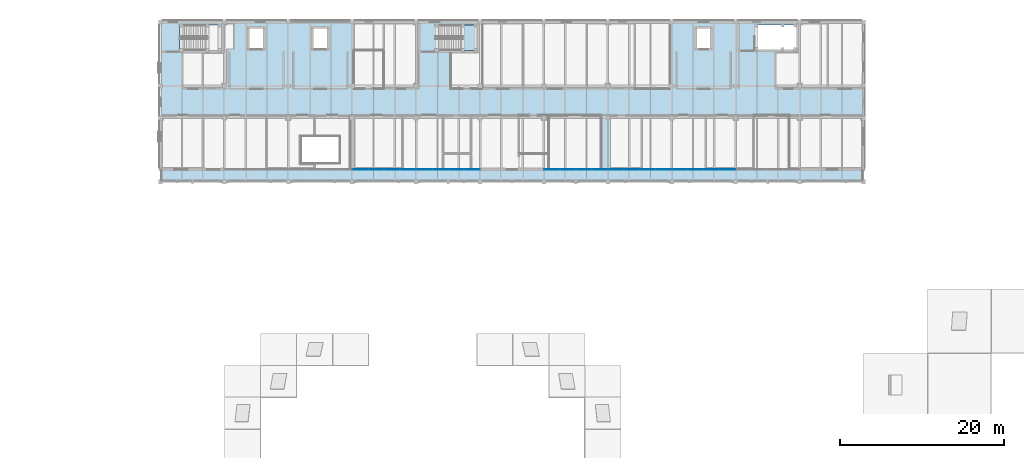
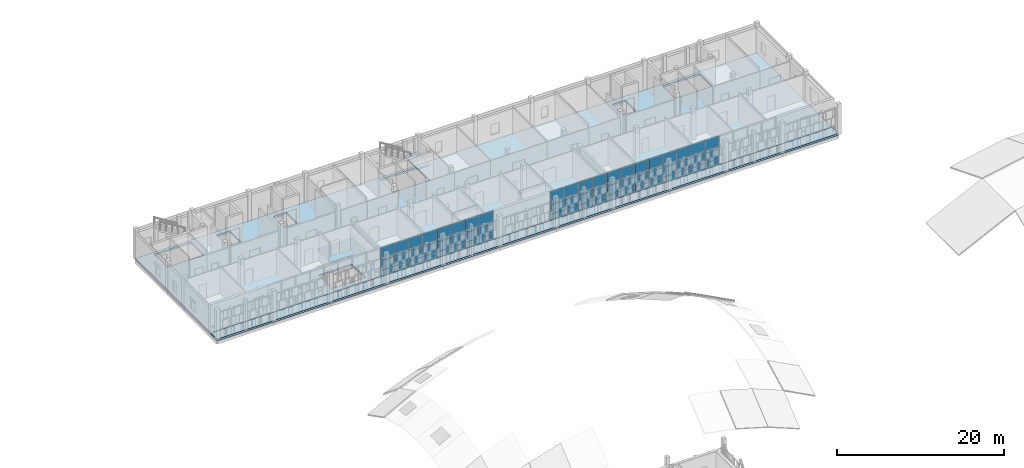
# One storey, part 52 of 89: 60 plates, 3 slabs, 6 elements without a shape of their own.
"""IFC4 building model written with IfcOpenShell, lengths in metres."""

from ifc_helpers import new_model, si_unit, direction, frame, origin, origin_2d, place, context, subcontext, project, spatial, polyline, rectangle, outline, extrude, material, layer, layer_set, type_object, element, aggregate, save


model = new_model("IFC4")

# Units and contexts
model_context = context("Model", 3, precision=1e-05, world=origin(), true_north=direction((0.0, 1.0)))
body_context = subcontext(model_context, "Body", "Model", "MODEL_VIEW")
ifc_project = project(units=[si_unit("LENGTHUNIT", "METRE"), si_unit("AREAUNIT", "SQUARE_METRE"), si_unit("VOLUMEUNIT", "CUBIC_METRE"), si_unit("PLANEANGLEUNIT", "RADIAN"), si_unit("MASSUNIT", "GRAM", prefix="KILO")], contexts=[model_context])

# Site, building, storey
site_placement = place(None, origin())
site = spatial("IfcSite", under=ifc_project, at=site_placement, CompositionType="ELEMENT")
building_placement = place(site_placement, origin())
building = spatial("IfcBuilding", under=site, at=building_placement, Name="Celorna Specialist Clinic", CompositionType="ELEMENT")
storey_placement = place(building_placement, frame((0.0, 0.0, 14.10009765625)))
storey = spatial("IfcBuildingStorey", under=building, at=storey_placement, Name="L03", CompositionType="ELEMENT", Elevation=14.10009765625)

# Curtain wall, plates
ifc_material_1 = material(Name="Thermally broken aluminium and solar-control glass curtain wall", Category="aluminium")
ifc_layer_1 = layer(ifc_material_1, 0.159912109375, Name="Thermally broken aluminium and solar-control glass curtain wall")
ifc_layer_set_1 = layer_set([ifc_layer_1], Name="Thermally broken aluminium and solar-control glass curtain wall")
curtain_wall_type_1 = type_object("IfcCurtainWallType", Name="CW-70", PredefinedType="NOTDEFINED", material=ifc_layer_set_1)
curtain_wall_1_placement = place(storey_placement, origin())
curtain_wall_1 = element("IfcCurtainWall", 1, at=curtain_wall_1_placement, inside=storey, type_object=curtain_wall_type_1, Name="Curtain wall CW-70 #135", PredefinedType="NOTDEFINED")
ifc_material_2 = material(Name="Low-e double glazing", Category="glass")
ifc_layer_2 = layer(ifc_material_2, 0.028076171875, Name="Low-e double glazing")
ifc_layer_set_2 = layer_set([ifc_layer_2], Name="Low-e double glazing")
plate_type_1 = type_object("IfcPlateType", Name="CPN-01", PredefinedType="CURTAIN_PANEL", material=ifc_layer_set_2)
plate_1_placement = place(storey_placement, frame((116.009521484375, 98.0, 0.0498046875), z_axis=(0.0, 0.0, 1.0), x_axis=(-1.0, 0.0, 0.0)))
plate_1 = element("IfcPlate", 2, at=plate_1_placement, type_object=plate_type_1, Name="CW-70 panel 1.1", PredefinedType="CURTAIN_PANEL", context=body_context, shape_type="SweptSolid", body=[
    extrude(rectangle(XDim=1.873046875, YDim=0.028076171875, at=origin_2d()), origin(), (0.0, 0.0, 1.0), 0.824951171875),
])
plate_2_placement = place(storey_placement, frame((116.009521484375, 98.0, 0.9248046875), z_axis=(0.0, 0.0, 1.0), x_axis=(-1.0, 0.0, 0.0)))
plate_2 = element("IfcPlate", 3, at=plate_2_placement, type_object=plate_type_1, Name="CW-70 panel 1.2", PredefinedType="CURTAIN_PANEL", context=body_context, shape_type="SweptSolid", body=[
    extrude(rectangle(XDim=1.873046875, YDim=0.028076171875, at=origin_2d()), origin(), (0.0, 0.0, 1.0), 1.35009765625),
])
plate_3_placement = place(storey_placement, frame((116.009521484375, 98.0, 2.32470703125), z_axis=(0.0, 0.0, 1.0), x_axis=(-1.0, 0.0, 0.0)))
plate_3 = element("IfcPlate", 4, at=plate_3_placement, type_object=plate_type_1, Name="CW-70 panel 1.3", PredefinedType="CURTAIN_PANEL", context=body_context, shape_type="SweptSolid", body=[
    extrude(rectangle(XDim=1.873046875, YDim=0.028076171875, at=origin_2d()), origin(), (0.0, 0.0, 1.0), 1.885009765625),
])
plate_4_placement = place(storey_placement, frame((114.073974609375, 98.0, 0.0498046875), z_axis=(0.0, 0.0, 1.0), x_axis=(-1.0, 0.0, 0.0)))
plate_4 = element("IfcPlate", 5, at=plate_4_placement, type_object=plate_type_1, Name="CW-70 panel 2.1", PredefinedType="CURTAIN_PANEL", context=body_context, shape_type="SweptSolid", body=[
    extrude(rectangle(XDim=1.89794921875, YDim=0.028076171875, at=origin_2d()), origin(), (0.0, 0.0, 1.0), 0.824951171875),
])
plate_5_placement = place(storey_placement, frame((114.073974609375, 98.0, 0.9248046875), z_axis=(0.0, 0.0, 1.0), x_axis=(-1.0, 0.0, 0.0)))
plate_5 = element("IfcPlate", 6, at=plate_5_placement, type_object=plate_type_1, Name="CW-70 panel 2.2", PredefinedType="CURTAIN_PANEL", context=body_context, shape_type="SweptSolid", body=[
    extrude(rectangle(XDim=1.89794921875, YDim=0.028076171875, at=origin_2d()), origin(), (0.0, 0.0, 1.0), 1.35009765625),
])
plate_6_placement = place(storey_placement, frame((114.073974609375, 98.0, 2.32470703125), z_axis=(0.0, 0.0, 1.0), x_axis=(-1.0, 0.0, 0.0)))
plate_6 = element("IfcPlate", 7, at=plate_6_placement, type_object=plate_type_1, Name="CW-70 panel 2.3", PredefinedType="CURTAIN_PANEL", context=body_context, shape_type="SweptSolid", body=[
    extrude(rectangle(XDim=1.89794921875, YDim=0.028076171875, at=origin_2d()), origin(), (0.0, 0.0, 1.0), 1.885009765625),
])
plate_7_placement = place(storey_placement, frame((112.1259765625, 98.0, 0.0498046875), z_axis=(0.0, 0.0, 1.0), x_axis=(-1.0, 0.0, 0.0)))
plate_7 = element("IfcPlate", 8, at=plate_7_placement, type_object=plate_type_1, Name="CW-70 panel 3.1", PredefinedType="CURTAIN_PANEL", context=body_context, shape_type="SweptSolid", body=[
    extrude(rectangle(XDim=1.89794921875, YDim=0.028076171875, at=origin_2d()), origin(), (0.0, 0.0, 1.0), 0.824951171875),
])
plate_8_placement = place(storey_placement, frame((112.1259765625, 98.0, 0.9248046875), z_axis=(0.0, 0.0, 1.0), x_axis=(-1.0, 0.0, 0.0)))
plate_8 = element("IfcPlate", 9, at=plate_8_placement, type_object=plate_type_1, Name="CW-70 panel 3.2", PredefinedType="CURTAIN_PANEL", context=body_context, shape_type="SweptSolid", body=[
    extrude(rectangle(XDim=1.89794921875, YDim=0.028076171875, at=origin_2d()), origin(), (0.0, 0.0, 1.0), 1.35009765625),
])
plate_9_placement = place(storey_placement, frame((112.1259765625, 98.0, 2.32470703125), z_axis=(0.0, 0.0, 1.0), x_axis=(-1.0, 0.0, 0.0)))
plate_9 = element("IfcPlate", 10, at=plate_9_placement, type_object=plate_type_1, Name="CW-70 panel 3.3", PredefinedType="CURTAIN_PANEL", context=body_context, shape_type="SweptSolid", body=[
    extrude(rectangle(XDim=1.89794921875, YDim=0.028076171875, at=origin_2d()), origin(), (0.0, 0.0, 1.0), 1.885009765625),
])
plate_10_placement = place(storey_placement, frame((110.1904296875, 98.0, 0.0498046875), z_axis=(0.0, 0.0, 1.0), x_axis=(-1.0, 0.0, 0.0)))
plate_10 = element("IfcPlate", 11, at=plate_10_placement, type_object=plate_type_1, Name="CW-70 panel 4.1", PredefinedType="CURTAIN_PANEL", context=body_context, shape_type="SweptSolid", body=[
    extrude(rectangle(XDim=1.873046875, YDim=0.028076171875, at=origin_2d()), origin(), (0.0, 0.0, 1.0), 0.824951171875),
])
plate_11_placement = place(storey_placement, frame((110.1904296875, 98.0, 0.9248046875), z_axis=(0.0, 0.0, 1.0), x_axis=(-1.0, 0.0, 0.0)))
plate_11 = element("IfcPlate", 12, at=plate_11_placement, type_object=plate_type_1, Name="CW-70 panel 4.2", PredefinedType="CURTAIN_PANEL", context=body_context, shape_type="SweptSolid", body=[
    extrude(rectangle(XDim=1.873046875, YDim=0.028076171875, at=origin_2d()), origin(), (0.0, 0.0, 1.0), 1.35009765625),
])
plate_12_placement = place(storey_placement, frame((110.1904296875, 98.0, 2.32470703125), z_axis=(0.0, 0.0, 1.0), x_axis=(-1.0, 0.0, 0.0)))
plate_12 = element("IfcPlate", 13, at=plate_12_placement, type_object=plate_type_1, Name="CW-70 panel 4.3", PredefinedType="CURTAIN_PANEL", context=body_context, shape_type="SweptSolid", body=[
    extrude(rectangle(XDim=1.873046875, YDim=0.028076171875, at=origin_2d()), origin(), (0.0, 0.0, 1.0), 1.885009765625),
])
aggregate(curtain_wall_1, [plate_1, plate_2, plate_3, plate_4, plate_5, plate_6, plate_7, plate_8, plate_9, plate_10, plate_11, plate_12])

ifc_layer_3 = layer(ifc_material_1, 0.159912109375, Name="Thermally broken aluminium and solar-control glass curtain wall")
ifc_layer_set_3 = layer_set([ifc_layer_3], Name="Thermally broken aluminium and solar-control glass curtain wall")
curtain_wall_type_2 = type_object("IfcCurtainWallType", Name="CW-71", PredefinedType="NOTDEFINED", material=ifc_layer_set_3)
curtain_wall_2_placement = place(storey_placement, origin())
curtain_wall_2 = element("IfcCurtainWall", 14, at=curtain_wall_2_placement, inside=storey, type_object=curtain_wall_type_2, Name="Curtain wall CW-71 #131", PredefinedType="NOTDEFINED")
ifc_material_3 = material(Name="Solar-control triple glazing", Category="glass")
ifc_layer_4 = layer(ifc_material_3, 0.035888671875, Name="Solar-control triple glazing")
ifc_layer_set_4 = layer_set([ifc_layer_4], Name="Solar-control triple glazing")
plate_type_2 = type_object("IfcPlateType", Name="CPN-02", PredefinedType="CURTAIN_PANEL", material=ifc_layer_set_4)
plate_13_placement = place(storey_placement, frame((77.009521484375, 98.0, 0.0498046875), z_axis=(0.0, 0.0, 1.0), x_axis=(-1.0, 0.0, 0.0)))
plate_13 = element("IfcPlate", 15, at=plate_13_placement, type_object=plate_type_2, Name="CW-71 panel 1.1", PredefinedType="CURTAIN_PANEL", context=body_context, shape_type="SweptSolid", body=[
    extrude(rectangle(XDim=1.873046875, YDim=0.035888671875, at=origin_2d()), origin(), (0.0, 0.0, 1.0), 0.824951171875),
])
plate_14_placement = place(storey_placement, frame((77.009521484375, 98.0, 0.9248046875), z_axis=(0.0, 0.0, 1.0), x_axis=(-1.0, 0.0, 0.0)))
plate_14 = element("IfcPlate", 16, at=plate_14_placement, type_object=plate_type_2, Name="CW-71 panel 1.2", PredefinedType="CURTAIN_PANEL", context=body_context, shape_type="SweptSolid", body=[
    extrude(rectangle(XDim=1.873046875, YDim=0.035888671875, at=origin_2d()), origin(), (0.0, 0.0, 1.0), 1.35009765625),
])
plate_15_placement = place(storey_placement, frame((77.009521484375, 98.0, 2.32470703125), z_axis=(0.0, 0.0, 1.0), x_axis=(-1.0, 0.0, 0.0)))
plate_15 = element("IfcPlate", 17, at=plate_15_placement, type_object=plate_type_2, Name="CW-71 panel 1.3", PredefinedType="CURTAIN_PANEL", context=body_context, shape_type="SweptSolid", body=[
    extrude(rectangle(XDim=1.873046875, YDim=0.035888671875, at=origin_2d()), origin(), (0.0, 0.0, 1.0), 1.885009765625),
])
plate_16_placement = place(storey_placement, frame((75.073974609375, 98.0, 0.0498046875), z_axis=(0.0, 0.0, 1.0), x_axis=(-1.0, 0.0, 0.0)))
plate_16 = element("IfcPlate", 18, at=plate_16_placement, type_object=plate_type_2, Name="CW-71 panel 2.1", PredefinedType="CURTAIN_PANEL", context=body_context, shape_type="SweptSolid", body=[
    extrude(rectangle(XDim=1.89794921875, YDim=0.035888671875, at=origin_2d()), origin(), (0.0, 0.0, 1.0), 0.824951171875),
])
plate_17_placement = place(storey_placement, frame((75.073974609375, 98.0, 0.9248046875), z_axis=(0.0, 0.0, 1.0), x_axis=(-1.0, 0.0, 0.0)))
plate_17 = element("IfcPlate", 19, at=plate_17_placement, type_object=plate_type_2, Name="CW-71 panel 2.2", PredefinedType="CURTAIN_PANEL", context=body_context, shape_type="SweptSolid", body=[
    extrude(rectangle(XDim=1.89794921875, YDim=0.035888671875, at=origin_2d()), origin(), (0.0, 0.0, 1.0), 1.35009765625),
])
plate_18_placement = place(storey_placement, frame((75.073974609375, 98.0, 2.32470703125), z_axis=(0.0, 0.0, 1.0), x_axis=(-1.0, 0.0, 0.0)))
plate_18 = element("IfcPlate", 20, at=plate_18_placement, type_object=plate_type_2, Name="CW-71 panel 2.3", PredefinedType="CURTAIN_PANEL", context=body_context, shape_type="SweptSolid", body=[
    extrude(rectangle(XDim=1.89794921875, YDim=0.035888671875, at=origin_2d()), origin(), (0.0, 0.0, 1.0), 1.885009765625),
])
plate_19_placement = place(storey_placement, frame((73.1259765625, 98.0, 0.0498046875), z_axis=(0.0, 0.0, 1.0), x_axis=(-1.0, 0.0, 0.0)))
plate_19 = element("IfcPlate", 21, at=plate_19_placement, type_object=plate_type_2, Name="CW-71 panel 3.1", PredefinedType="CURTAIN_PANEL", context=body_context, shape_type="SweptSolid", body=[
    extrude(rectangle(XDim=1.89794921875, YDim=0.035888671875, at=origin_2d()), origin(), (0.0, 0.0, 1.0), 0.824951171875),
])
plate_20_placement = place(storey_placement, frame((73.1259765625, 98.0, 0.9248046875), z_axis=(0.0, 0.0, 1.0), x_axis=(-1.0, 0.0, 0.0)))
plate_20 = element("IfcPlate", 22, at=plate_20_placement, type_object=plate_type_2, Name="CW-71 panel 3.2", PredefinedType="CURTAIN_PANEL", context=body_context, shape_type="SweptSolid", body=[
    extrude(rectangle(XDim=1.89794921875, YDim=0.035888671875, at=origin_2d()), origin(), (0.0, 0.0, 1.0), 1.35009765625),
])
plate_21_placement = place(storey_placement, frame((73.1259765625, 98.0, 2.32470703125), z_axis=(0.0, 0.0, 1.0), x_axis=(-1.0, 0.0, 0.0)))
plate_21 = element("IfcPlate", 23, at=plate_21_placement, type_object=plate_type_2, Name="CW-71 panel 3.3", PredefinedType="CURTAIN_PANEL", context=body_context, shape_type="SweptSolid", body=[
    extrude(rectangle(XDim=1.89794921875, YDim=0.035888671875, at=origin_2d()), origin(), (0.0, 0.0, 1.0), 1.885009765625),
])
plate_22_placement = place(storey_placement, frame((71.1904296875, 98.0, 0.0498046875), z_axis=(0.0, 0.0, 1.0), x_axis=(-1.0, 0.0, 0.0)))
plate_22 = element("IfcPlate", 24, at=plate_22_placement, type_object=plate_type_2, Name="CW-71 panel 4.1", PredefinedType="CURTAIN_PANEL", context=body_context, shape_type="SweptSolid", body=[
    extrude(rectangle(XDim=1.873046875, YDim=0.035888671875, at=origin_2d()), origin(), (0.0, 0.0, 1.0), 0.824951171875),
])
plate_23_placement = place(storey_placement, frame((71.1904296875, 98.0, 0.9248046875), z_axis=(0.0, 0.0, 1.0), x_axis=(-1.0, 0.0, 0.0)))
plate_23 = element("IfcPlate", 25, at=plate_23_placement, type_object=plate_type_2, Name="CW-71 panel 4.2", PredefinedType="CURTAIN_PANEL", context=body_context, shape_type="SweptSolid", body=[
    extrude(rectangle(XDim=1.873046875, YDim=0.035888671875, at=origin_2d()), origin(), (0.0, 0.0, 1.0), 1.35009765625),
])
plate_24_placement = place(storey_placement, frame((71.1904296875, 98.0, 2.32470703125), z_axis=(0.0, 0.0, 1.0), x_axis=(-1.0, 0.0, 0.0)))
plate_24 = element("IfcPlate", 26, at=plate_24_placement, type_object=plate_type_2, Name="CW-71 panel 4.3", PredefinedType="CURTAIN_PANEL", context=body_context, shape_type="SweptSolid", body=[
    extrude(rectangle(XDim=1.873046875, YDim=0.035888671875, at=origin_2d()), origin(), (0.0, 0.0, 1.0), 1.885009765625),
])
aggregate(curtain_wall_2, [plate_13, plate_14, plate_15, plate_16, plate_17, plate_18, plate_19, plate_20, plate_21, plate_22, plate_23, plate_24])

curtain_wall_3_placement = place(storey_placement, origin())
curtain_wall_3 = element("IfcCurtainWall", 27, at=curtain_wall_3_placement, inside=storey, type_object=curtain_wall_type_2, Name="Curtain wall CW-71 #133", PredefinedType="NOTDEFINED")
plate_25_placement = place(storey_placement, frame((100.409423828125, 98.0, 0.0498046875), z_axis=(0.0, 0.0, 1.0), x_axis=(-1.0, 0.0, 0.0)))
plate_25 = element("IfcPlate", 28, at=plate_25_placement, type_object=plate_type_2, Name="CW-71 panel 1.1", PredefinedType="CURTAIN_PANEL", context=body_context, shape_type="SweptSolid", body=[
    extrude(rectangle(XDim=1.873046875, YDim=0.035888671875, at=origin_2d()), origin(), (0.0, 0.0, 1.0), 0.824951171875),
])
plate_26_placement = place(storey_placement, frame((100.409423828125, 98.0, 0.9248046875), z_axis=(0.0, 0.0, 1.0), x_axis=(-1.0, 0.0, 0.0)))
plate_26 = element("IfcPlate", 29, at=plate_26_placement, type_object=plate_type_2, Name="CW-71 panel 1.2", PredefinedType="CURTAIN_PANEL", context=body_context, shape_type="SweptSolid", body=[
    extrude(rectangle(XDim=1.873046875, YDim=0.035888671875, at=origin_2d()), origin(), (0.0, 0.0, 1.0), 1.35009765625),
])
plate_27_placement = place(storey_placement, frame((100.409423828125, 98.0, 2.32470703125), z_axis=(0.0, 0.0, 1.0), x_axis=(-1.0, 0.0, 0.0)))
plate_27 = element("IfcPlate", 30, at=plate_27_placement, type_object=plate_type_2, Name="CW-71 panel 1.3", PredefinedType="CURTAIN_PANEL", context=body_context, shape_type="SweptSolid", body=[
    extrude(rectangle(XDim=1.873046875, YDim=0.035888671875, at=origin_2d()), origin(), (0.0, 0.0, 1.0), 1.885009765625),
])
plate_28_placement = place(storey_placement, frame((98.47412109375, 98.0, 0.0498046875), z_axis=(0.0, 0.0, 1.0), x_axis=(-1.0, 0.0, 0.0)))
plate_28 = element("IfcPlate", 31, at=plate_28_placement, type_object=plate_type_2, Name="CW-71 panel 2.1", PredefinedType="CURTAIN_PANEL", context=body_context, shape_type="SweptSolid", body=[
    extrude(rectangle(XDim=1.89794921875, YDim=0.035888671875, at=origin_2d()), origin(), (0.0, 0.0, 1.0), 0.824951171875),
])
plate_29_placement = place(storey_placement, frame((98.47412109375, 98.0, 0.9248046875), z_axis=(0.0, 0.0, 1.0), x_axis=(-1.0, 0.0, 0.0)))
plate_29 = element("IfcPlate", 32, at=plate_29_placement, type_object=plate_type_2, Name="CW-71 panel 2.2", PredefinedType="CURTAIN_PANEL", context=body_context, shape_type="SweptSolid", body=[
    extrude(rectangle(XDim=1.89794921875, YDim=0.035888671875, at=origin_2d()), origin(), (0.0, 0.0, 1.0), 1.35009765625),
])
plate_30_placement = place(storey_placement, frame((98.47412109375, 98.0, 2.32470703125), z_axis=(0.0, 0.0, 1.0), x_axis=(-1.0, 0.0, 0.0)))
plate_30 = element("IfcPlate", 33, at=plate_30_placement, type_object=plate_type_2, Name="CW-71 panel 2.3", PredefinedType="CURTAIN_PANEL", context=body_context, shape_type="SweptSolid", body=[
    extrude(rectangle(XDim=1.89794921875, YDim=0.035888671875, at=origin_2d()), origin(), (0.0, 0.0, 1.0), 1.885009765625),
])
plate_31_placement = place(storey_placement, frame((96.52587890625, 98.0, 0.0498046875), z_axis=(0.0, 0.0, 1.0), x_axis=(-1.0, 0.0, 0.0)))
plate_31 = element("IfcPlate", 34, at=plate_31_placement, type_object=plate_type_2, Name="CW-71 panel 3.1", PredefinedType="CURTAIN_PANEL", context=body_context, shape_type="SweptSolid", body=[
    extrude(rectangle(XDim=1.89794921875, YDim=0.035888671875, at=origin_2d()), origin(), (0.0, 0.0, 1.0), 0.824951171875),
])
plate_32_placement = place(storey_placement, frame((96.52587890625, 98.0, 0.9248046875), z_axis=(0.0, 0.0, 1.0), x_axis=(-1.0, 0.0, 0.0)))
plate_32 = element("IfcPlate", 35, at=plate_32_placement, type_object=plate_type_2, Name="CW-71 panel 3.2", PredefinedType="CURTAIN_PANEL", context=body_context, shape_type="SweptSolid", body=[
    extrude(rectangle(XDim=1.89794921875, YDim=0.035888671875, at=origin_2d()), origin(), (0.0, 0.0, 1.0), 1.35009765625),
])
plate_33_placement = place(storey_placement, frame((96.52587890625, 98.0, 2.32470703125), z_axis=(0.0, 0.0, 1.0), x_axis=(-1.0, 0.0, 0.0)))
plate_33 = element("IfcPlate", 36, at=plate_33_placement, type_object=plate_type_2, Name="CW-71 panel 3.3", PredefinedType="CURTAIN_PANEL", context=body_context, shape_type="SweptSolid", body=[
    extrude(rectangle(XDim=1.89794921875, YDim=0.035888671875, at=origin_2d()), origin(), (0.0, 0.0, 1.0), 1.885009765625),
])
plate_34_placement = place(storey_placement, frame((94.590576171875, 98.0, 0.0498046875), z_axis=(0.0, 0.0, 1.0), x_axis=(-1.0, 0.0, 0.0)))
plate_34 = element("IfcPlate", 37, at=plate_34_placement, type_object=plate_type_2, Name="CW-71 panel 4.1", PredefinedType="CURTAIN_PANEL", context=body_context, shape_type="SweptSolid", body=[
    extrude(rectangle(XDim=1.873046875, YDim=0.035888671875, at=origin_2d()), origin(), (0.0, 0.0, 1.0), 0.824951171875),
])
plate_35_placement = place(storey_placement, frame((94.590576171875, 98.0, 0.9248046875), z_axis=(0.0, 0.0, 1.0), x_axis=(-1.0, 0.0, 0.0)))
plate_35 = element("IfcPlate", 38, at=plate_35_placement, type_object=plate_type_2, Name="CW-71 panel 4.2", PredefinedType="CURTAIN_PANEL", context=body_context, shape_type="SweptSolid", body=[
    extrude(rectangle(XDim=1.873046875, YDim=0.035888671875, at=origin_2d()), origin(), (0.0, 0.0, 1.0), 1.35009765625),
])
plate_36_placement = place(storey_placement, frame((94.590576171875, 98.0, 2.32470703125), z_axis=(0.0, 0.0, 1.0), x_axis=(-1.0, 0.0, 0.0)))
plate_36 = element("IfcPlate", 39, at=plate_36_placement, type_object=plate_type_2, Name="CW-71 panel 4.3", PredefinedType="CURTAIN_PANEL", context=body_context, shape_type="SweptSolid", body=[
    extrude(rectangle(XDim=1.873046875, YDim=0.035888671875, at=origin_2d()), origin(), (0.0, 0.0, 1.0), 1.885009765625),
])
aggregate(curtain_wall_3, [plate_25, plate_26, plate_27, plate_28, plate_29, plate_30, plate_31, plate_32, plate_33, plate_34, plate_35, plate_36])

ifc_layer_5 = layer(ifc_material_1, 0.159912109375, Name="Thermally broken aluminium and solar-control glass curtain wall")
ifc_layer_set_5 = layer_set([ifc_layer_5], Name="Thermally broken aluminium and solar-control glass curtain wall")
curtain_wall_type_3 = type_object("IfcCurtainWallType", Name="CW-69", PredefinedType="NOTDEFINED", material=ifc_layer_set_5)
curtain_wall_4_placement = place(storey_placement, origin())
curtain_wall_4 = element("IfcCurtainWall", 40, at=curtain_wall_4_placement, inside=storey, type_object=curtain_wall_type_3, Name="Curtain wall CW-69 #132", PredefinedType="NOTDEFINED")
ifc_material_4 = material(Name="Glazed polychrome ceramic insulated spandrel")
ifc_layer_6 = layer(ifc_material_4, 0.0439453125, Name="Glazed polychrome ceramic insulated spandrel")
ifc_layer_set_6 = layer_set([ifc_layer_6], Name="Glazed polychrome ceramic insulated spandrel")
plate_type_3 = type_object("IfcPlateType", Name="CPN-03", PredefinedType="CURTAIN_PANEL", material=ifc_layer_set_6)
plate_37_placement = place(storey_placement, frame((84.8095703125, 98.0, 0.0498046875), z_axis=(0.0, 0.0, 1.0), x_axis=(-1.0, 0.0, 0.0)))
plate_37 = element("IfcPlate", 41, at=plate_37_placement, type_object=plate_type_3, Name="CW-69 panel 1.1", PredefinedType="CURTAIN_PANEL", context=body_context, shape_type="SweptSolid", body=[
    extrude(rectangle(XDim=1.873046875, YDim=0.0439453125, at=origin_2d()), origin(), (0.0, 0.0, 1.0), 0.824951171875),
])
plate_38_placement = place(storey_placement, frame((84.8095703125, 98.0, 0.9248046875), z_axis=(0.0, 0.0, 1.0), x_axis=(-1.0, 0.0, 0.0)))
plate_38 = element("IfcPlate", 42, at=plate_38_placement, type_object=plate_type_3, Name="CW-69 panel 1.2", PredefinedType="CURTAIN_PANEL", context=body_context, shape_type="SweptSolid", body=[
    extrude(rectangle(XDim=1.873046875, YDim=0.0439453125, at=origin_2d()), origin(), (0.0, 0.0, 1.0), 1.35009765625),
])
plate_39_placement = place(storey_placement, frame((84.8095703125, 98.0, 2.32470703125), z_axis=(0.0, 0.0, 1.0), x_axis=(-1.0, 0.0, 0.0)))
plate_39 = element("IfcPlate", 43, at=plate_39_placement, type_object=plate_type_3, Name="CW-69 panel 1.3", PredefinedType="CURTAIN_PANEL", context=body_context, shape_type="SweptSolid", body=[
    extrude(rectangle(XDim=1.873046875, YDim=0.0439453125, at=origin_2d()), origin(), (0.0, 0.0, 1.0), 1.885009765625),
])
plate_40_placement = place(storey_placement, frame((82.8740234375, 98.0, 0.0498046875), z_axis=(0.0, 0.0, 1.0), x_axis=(-1.0, 0.0, 0.0)))
plate_40 = element("IfcPlate", 44, at=plate_40_placement, type_object=plate_type_3, Name="CW-69 panel 2.1", PredefinedType="CURTAIN_PANEL", context=body_context, shape_type="SweptSolid", body=[
    extrude(rectangle(XDim=1.89794921875, YDim=0.0439453125, at=origin_2d()), origin(), (0.0, 0.0, 1.0), 0.824951171875),
])
plate_41_placement = place(storey_placement, frame((82.8740234375, 98.0, 0.9248046875), z_axis=(0.0, 0.0, 1.0), x_axis=(-1.0, 0.0, 0.0)))
plate_41 = element("IfcPlate", 45, at=plate_41_placement, type_object=plate_type_3, Name="CW-69 panel 2.2", PredefinedType="CURTAIN_PANEL", context=body_context, shape_type="SweptSolid", body=[
    extrude(rectangle(XDim=1.89794921875, YDim=0.0439453125, at=origin_2d()), origin(), (0.0, 0.0, 1.0), 1.35009765625),
])
plate_42_placement = place(storey_placement, frame((82.8740234375, 98.0, 2.32470703125), z_axis=(0.0, 0.0, 1.0), x_axis=(-1.0, 0.0, 0.0)))
plate_42 = element("IfcPlate", 46, at=plate_42_placement, type_object=plate_type_3, Name="CW-69 panel 2.3", PredefinedType="CURTAIN_PANEL", context=body_context, shape_type="SweptSolid", body=[
    extrude(rectangle(XDim=1.89794921875, YDim=0.0439453125, at=origin_2d()), origin(), (0.0, 0.0, 1.0), 1.885009765625),
])
plate_43_placement = place(storey_placement, frame((80.926025390625, 98.0, 0.0498046875), z_axis=(0.0, 0.0, 1.0), x_axis=(-1.0, 0.0, 0.0)))
plate_43 = element("IfcPlate", 47, at=plate_43_placement, type_object=plate_type_3, Name="CW-69 panel 3.1", PredefinedType="CURTAIN_PANEL", context=body_context, shape_type="SweptSolid", body=[
    extrude(rectangle(XDim=1.89794921875, YDim=0.0439453125, at=origin_2d()), origin(), (0.0, 0.0, 1.0), 0.824951171875),
])
plate_44_placement = place(storey_placement, frame((80.926025390625, 98.0, 0.9248046875), z_axis=(0.0, 0.0, 1.0), x_axis=(-1.0, 0.0, 0.0)))
plate_44 = element("IfcPlate", 48, at=plate_44_placement, type_object=plate_type_3, Name="CW-69 panel 3.2", PredefinedType="CURTAIN_PANEL", context=body_context, shape_type="SweptSolid", body=[
    extrude(rectangle(XDim=1.89794921875, YDim=0.0439453125, at=origin_2d()), origin(), (0.0, 0.0, 1.0), 1.35009765625),
])
plate_45_placement = place(storey_placement, frame((80.926025390625, 98.0, 2.32470703125), z_axis=(0.0, 0.0, 1.0), x_axis=(-1.0, 0.0, 0.0)))
plate_45 = element("IfcPlate", 49, at=plate_45_placement, type_object=plate_type_3, Name="CW-69 panel 3.3", PredefinedType="CURTAIN_PANEL", context=body_context, shape_type="SweptSolid", body=[
    extrude(rectangle(XDim=1.89794921875, YDim=0.0439453125, at=origin_2d()), origin(), (0.0, 0.0, 1.0), 1.885009765625),
])
plate_46_placement = place(storey_placement, frame((78.990478515625, 98.0, 0.0498046875), z_axis=(0.0, 0.0, 1.0), x_axis=(-1.0, 0.0, 0.0)))
plate_46 = element("IfcPlate", 50, at=plate_46_placement, type_object=plate_type_3, Name="CW-69 panel 4.1", PredefinedType="CURTAIN_PANEL", context=body_context, shape_type="SweptSolid", body=[
    extrude(rectangle(XDim=1.873046875, YDim=0.0439453125, at=origin_2d()), origin(), (0.0, 0.0, 1.0), 0.824951171875),
])
plate_47_placement = place(storey_placement, frame((78.990478515625, 98.0, 0.9248046875), z_axis=(0.0, 0.0, 1.0), x_axis=(-1.0, 0.0, 0.0)))
plate_47 = element("IfcPlate", 51, at=plate_47_placement, type_object=plate_type_3, Name="CW-69 panel 4.2", PredefinedType="CURTAIN_PANEL", context=body_context, shape_type="SweptSolid", body=[
    extrude(rectangle(XDim=1.873046875, YDim=0.0439453125, at=origin_2d()), origin(), (0.0, 0.0, 1.0), 1.35009765625),
])
plate_48_placement = place(storey_placement, frame((78.990478515625, 98.0, 2.32470703125), z_axis=(0.0, 0.0, 1.0), x_axis=(-1.0, 0.0, 0.0)))
plate_48 = element("IfcPlate", 52, at=plate_48_placement, type_object=plate_type_3, Name="CW-69 panel 4.3", PredefinedType="CURTAIN_PANEL", context=body_context, shape_type="SweptSolid", body=[
    extrude(rectangle(XDim=1.873046875, YDim=0.0439453125, at=origin_2d()), origin(), (0.0, 0.0, 1.0), 1.885009765625),
])
aggregate(curtain_wall_4, [plate_37, plate_38, plate_39, plate_40, plate_41, plate_42, plate_43, plate_44, plate_45, plate_46, plate_47, plate_48])

curtain_wall_5_placement = place(storey_placement, origin())
curtain_wall_5 = element("IfcCurtainWall", 53, at=curtain_wall_5_placement, inside=storey, type_object=curtain_wall_type_3, Name="Curtain wall CW-69 #134", PredefinedType="NOTDEFINED")
plate_49_placement = place(storey_placement, frame((108.20947265625, 98.0, 0.0498046875), z_axis=(0.0, 0.0, 1.0), x_axis=(-1.0, 0.0, 0.0)))
plate_49 = element("IfcPlate", 54, at=plate_49_placement, type_object=plate_type_3, Name="CW-69 panel 1.1", PredefinedType="CURTAIN_PANEL", context=body_context, shape_type="SweptSolid", body=[
    extrude(rectangle(XDim=1.873046875, YDim=0.0439453125, at=origin_2d()), origin(), (0.0, 0.0, 1.0), 0.824951171875),
])
plate_50_placement = place(storey_placement, frame((108.20947265625, 98.0, 0.9248046875), z_axis=(0.0, 0.0, 1.0), x_axis=(-1.0, 0.0, 0.0)))
plate_50 = element("IfcPlate", 55, at=plate_50_placement, type_object=plate_type_3, Name="CW-69 panel 1.2", PredefinedType="CURTAIN_PANEL", context=body_context, shape_type="SweptSolid", body=[
    extrude(rectangle(XDim=1.873046875, YDim=0.0439453125, at=origin_2d()), origin(), (0.0, 0.0, 1.0), 1.35009765625),
])
plate_51_placement = place(storey_placement, frame((108.20947265625, 98.0, 2.32470703125), z_axis=(0.0, 0.0, 1.0), x_axis=(-1.0, 0.0, 0.0)))
plate_51 = element("IfcPlate", 56, at=plate_51_placement, type_object=plate_type_3, Name="CW-69 panel 1.3", PredefinedType="CURTAIN_PANEL", context=body_context, shape_type="SweptSolid", body=[
    extrude(rectangle(XDim=1.873046875, YDim=0.0439453125, at=origin_2d()), origin(), (0.0, 0.0, 1.0), 1.885009765625),
])
plate_52_placement = place(storey_placement, frame((106.27392578125, 98.0, 0.0498046875), z_axis=(0.0, 0.0, 1.0), x_axis=(-1.0, 0.0, 0.0)))
plate_52 = element("IfcPlate", 57, at=plate_52_placement, type_object=plate_type_3, Name="CW-69 panel 2.1", PredefinedType="CURTAIN_PANEL", context=body_context, shape_type="SweptSolid", body=[
    extrude(rectangle(XDim=1.89794921875, YDim=0.0439453125, at=origin_2d()), origin(), (0.0, 0.0, 1.0), 0.824951171875),
])
plate_53_placement = place(storey_placement, frame((106.27392578125, 98.0, 0.9248046875), z_axis=(0.0, 0.0, 1.0), x_axis=(-1.0, 0.0, 0.0)))
plate_53 = element("IfcPlate", 58, at=plate_53_placement, type_object=plate_type_3, Name="CW-69 panel 2.2", PredefinedType="CURTAIN_PANEL", context=body_context, shape_type="SweptSolid", body=[
    extrude(rectangle(XDim=1.89794921875, YDim=0.0439453125, at=origin_2d()), origin(), (0.0, 0.0, 1.0), 1.35009765625),
])
plate_54_placement = place(storey_placement, frame((106.27392578125, 98.0, 2.32470703125), z_axis=(0.0, 0.0, 1.0), x_axis=(-1.0, 0.0, 0.0)))
plate_54 = element("IfcPlate", 59, at=plate_54_placement, type_object=plate_type_3, Name="CW-69 panel 2.3", PredefinedType="CURTAIN_PANEL", context=body_context, shape_type="SweptSolid", body=[
    extrude(rectangle(XDim=1.89794921875, YDim=0.0439453125, at=origin_2d()), origin(), (0.0, 0.0, 1.0), 1.885009765625),
])
plate_55_placement = place(storey_placement, frame((104.325927734375, 98.0, 0.0498046875), z_axis=(0.0, 0.0, 1.0), x_axis=(-1.0, 0.0, 0.0)))
plate_55 = element("IfcPlate", 60, at=plate_55_placement, type_object=plate_type_3, Name="CW-69 panel 3.1", PredefinedType="CURTAIN_PANEL", context=body_context, shape_type="SweptSolid", body=[
    extrude(rectangle(XDim=1.89794921875, YDim=0.0439453125, at=origin_2d()), origin(), (0.0, 0.0, 1.0), 0.824951171875),
])
plate_56_placement = place(storey_placement, frame((104.325927734375, 98.0, 0.9248046875), z_axis=(0.0, 0.0, 1.0), x_axis=(-1.0, 0.0, 0.0)))
plate_56 = element("IfcPlate", 61, at=plate_56_placement, type_object=plate_type_3, Name="CW-69 panel 3.2", PredefinedType="CURTAIN_PANEL", context=body_context, shape_type="SweptSolid", body=[
    extrude(rectangle(XDim=1.89794921875, YDim=0.0439453125, at=origin_2d()), origin(), (0.0, 0.0, 1.0), 1.35009765625),
])
plate_57_placement = place(storey_placement, frame((104.325927734375, 98.0, 2.32470703125), z_axis=(0.0, 0.0, 1.0), x_axis=(-1.0, 0.0, 0.0)))
plate_57 = element("IfcPlate", 62, at=plate_57_placement, type_object=plate_type_3, Name="CW-69 panel 3.3", PredefinedType="CURTAIN_PANEL", context=body_context, shape_type="SweptSolid", body=[
    extrude(rectangle(XDim=1.89794921875, YDim=0.0439453125, at=origin_2d()), origin(), (0.0, 0.0, 1.0), 1.885009765625),
])
plate_58_placement = place(storey_placement, frame((102.390380859375, 98.0, 0.0498046875), z_axis=(0.0, 0.0, 1.0), x_axis=(-1.0, 0.0, 0.0)))
plate_58 = element("IfcPlate", 63, at=plate_58_placement, type_object=plate_type_3, Name="CW-69 panel 4.1", PredefinedType="CURTAIN_PANEL", context=body_context, shape_type="SweptSolid", body=[
    extrude(rectangle(XDim=1.873046875, YDim=0.0439453125, at=origin_2d()), origin(), (0.0, 0.0, 1.0), 0.824951171875),
])
plate_59_placement = place(storey_placement, frame((102.390380859375, 98.0, 0.9248046875), z_axis=(0.0, 0.0, 1.0), x_axis=(-1.0, 0.0, 0.0)))
plate_59 = element("IfcPlate", 64, at=plate_59_placement, type_object=plate_type_3, Name="CW-69 panel 4.2", PredefinedType="CURTAIN_PANEL", context=body_context, shape_type="SweptSolid", body=[
    extrude(rectangle(XDim=1.873046875, YDim=0.0439453125, at=origin_2d()), origin(), (0.0, 0.0, 1.0), 1.35009765625),
])
plate_60_placement = place(storey_placement, frame((102.390380859375, 98.0, 2.32470703125), z_axis=(0.0, 0.0, 1.0), x_axis=(-1.0, 0.0, 0.0)))
plate_60 = element("IfcPlate", 65, at=plate_60_placement, type_object=plate_type_3, Name="CW-69 panel 4.3", PredefinedType="CURTAIN_PANEL", context=body_context, shape_type="SweptSolid", body=[
    extrude(rectangle(XDim=1.873046875, YDim=0.0439453125, at=origin_2d()), origin(), (0.0, 0.0, 1.0), 1.885009765625),
])
aggregate(curtain_wall_5, [plate_49, plate_50, plate_51, plate_52, plate_53, plate_54, plate_55, plate_56, plate_57, plate_58, plate_59, plate_60])

# Slabs
ifc_material_5 = material(Name="Concrete C35/45", Category="concrete")
ifc_layer_7 = layer(ifc_material_5, 0.260009765625, Name="Concrete C35/45")
ifc_layer_set_7 = layer_set([ifc_layer_7], Name="Concrete C35/45")
slab_type_1 = type_object("IfcSlabType", Name="SL-07", PredefinedType="FLOOR", material=ifc_layer_set_7)
slab_1_placement = place(storey_placement, frame((0.0, 0.0, -0.260009765625)))
element("IfcSlab", 66, at=slab_1_placement, inside=storey, type_object=slab_type_1, Name="Neurology L03 Cloister Veranda", PredefinedType="FLOOR", context=body_context, shape_type="SweptSolid", body=[
    extrude(outline(polyline([(46.800048828125, 96.5), (132.60009765625, 96.5), (132.60009765625, 98.0), (46.800048828125, 98.0), (46.800048828125, 96.5)])), origin(), (0.0, 0.0, 1.0), 0.260009765625),
])
ifc_layer_8 = layer(ifc_material_5, 0.260009765625, Name="Concrete C35/45")
ifc_layer_set_8 = layer_set([ifc_layer_8], Name="Concrete C35/45")
slab_type_2 = type_object("IfcSlabType", Name="SL-08", PredefinedType="FLOOR", material=ifc_layer_set_8)
slab_2_placement = place(storey_placement, frame((0.0, 0.0, -0.260009765625)))
element("IfcSlab", 67, at=slab_2_placement, inside=storey, type_object=slab_type_2, Name="V4 L03 structural slab SL-08", PredefinedType="FLOOR", context=body_context, shape_type="SweptSolid", body=[
    extrude(outline(polyline([(132.60009765625, 98.0), (132.60009765625, 116.0), (46.800048828125, 116.0), (46.800048828125, 98.0), (132.60009765625, 98.0)]), holes=[polyline([(49.139892578125, 112.52001953125), (54.239990234375, 112.52001953125), (54.239990234375, 115.6201171875), (49.139892578125, 115.6201171875), (49.139892578125, 112.52001953125)]), polyline([(80.340087890625, 112.52001953125), (85.43994140625, 112.52001953125), (85.43994140625, 115.6201171875), (80.340087890625, 115.6201171875), (80.340087890625, 112.52001953125)]), polyline([(119.340087890625, 112.6201171875), (124.43994140625, 112.6201171875), (124.43994140625, 115.6201171875), (119.340087890625, 115.6201171875), (119.340087890625, 112.6201171875)]), polyline([(57.594970703125, 112.695068359375), (59.405029296875, 112.695068359375), (59.405029296875, 115.304931640625), (57.594970703125, 115.304931640625), (57.594970703125, 112.695068359375)]), polyline([(65.39501953125, 112.695068359375), (67.205078125, 112.695068359375), (67.205078125, 115.304931640625), (65.39501953125, 115.304931640625), (65.39501953125, 112.695068359375)]), polyline([(112.219970703125, 112.719970703125), (113.97998046875, 112.719970703125), (113.97998046875, 115.280029296875), (112.219970703125, 115.280029296875), (112.219970703125, 112.719970703125)]), polyline([(64.0, 98.800048828125), (68.60009765625, 98.800048828125), (68.60009765625, 102.0), (64.0, 102.0), (64.0, 98.800048828125)])]), origin(), (0.0, 0.0, 1.0), 0.260009765625),
])

# Stair, slab
stair_type = type_object("IfcStairType", Name="ST-01", PredefinedType="HALF_TURN_STAIR", material=ifc_material_5)
stair_placement = place(storey_placement, origin())
stair = element("IfcStair", 68, at=stair_placement, inside=storey, type_object=stair_type, Name="L03 Protected exit stair ST-02", PredefinedType="HALF_TURN_STAIR")
ifc_layer_9 = layer(ifc_material_5, 0.199951171875, Name="Concrete C35/45")
ifc_layer_set_9 = layer_set([ifc_layer_9], Name="Concrete C35/45")
slab_type_3 = type_object("IfcSlabType", Name="SL-11", PredefinedType="LANDING", material=ifc_layer_set_9)
slab_3_placement = place(storey_placement, frame((0.0, 0.0, 2.0498046875)))
slab_3 = element("IfcSlab", 69, at=slab_3_placement, type_object=slab_type_3, Name="ST-02 landing 1", PredefinedType="LANDING", context=body_context, shape_type="SweptSolid", body=[
    extrude(outline(polyline([(83.699951171875, 112.52001953125), (85.43994140625, 112.52001953125), (85.43994140625, 115.6201171875), (83.699951171875, 115.6201171875), (83.699951171875, 112.52001953125)])), origin(), (0.0, 0.0, 1.0), 0.2001953125),
])
aggregate(stair, [slab_3])

save(model, "model.ifc")
